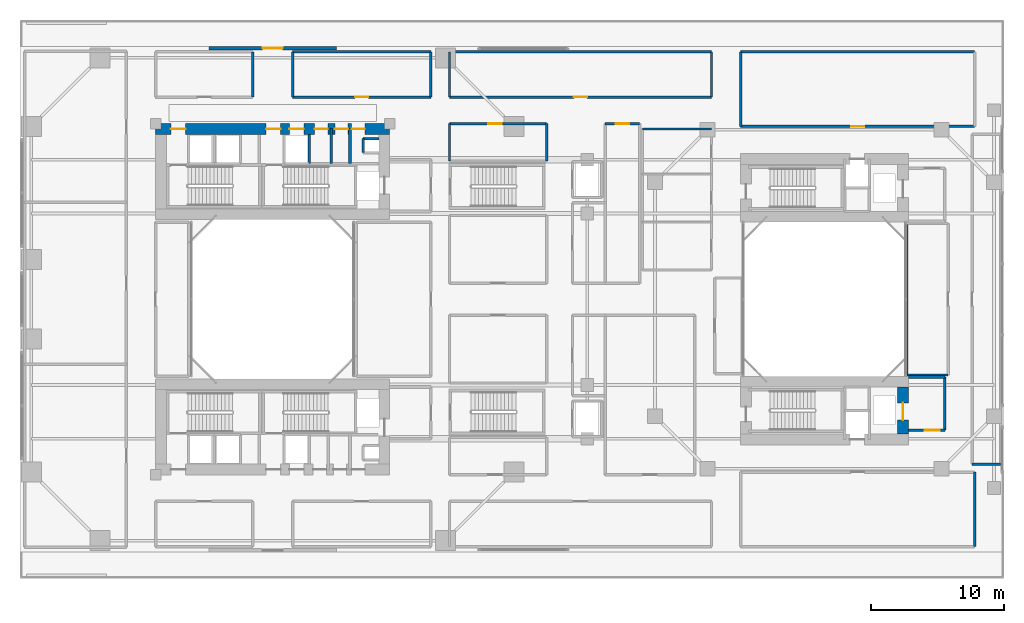
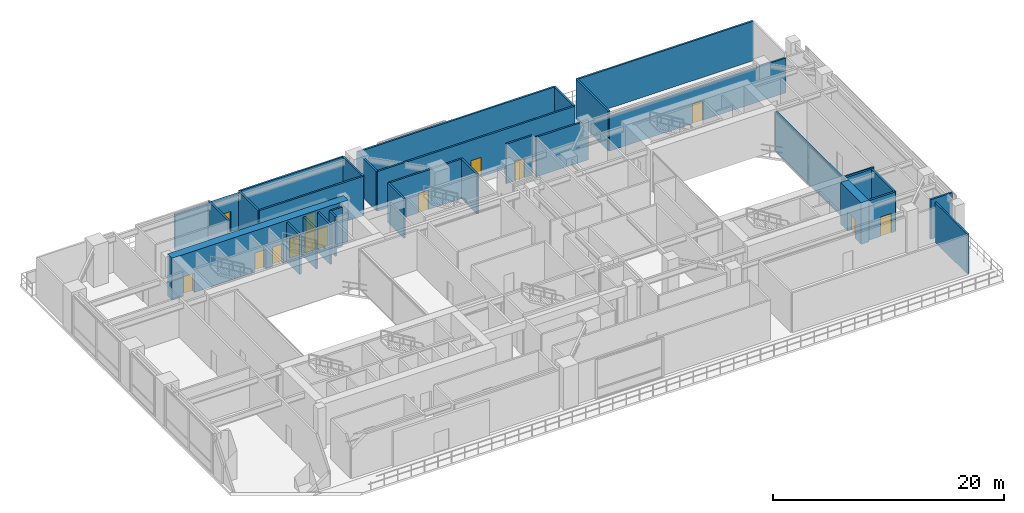
# One storey, part 14 of 19: 32 walls, 14 doors, 14 openings.
"""IFC4 building model written with IfcOpenShell, lengths in metres."""

from ifc_helpers import new_model, si_unit, direction, frame, frame_2d, origin, place, context, subcontext, project, spatial, rectangle, extrude, source, transform, mapped, material, layer, layer_set, type_object, element, fill, save


model = new_model("IFC4")

# Units and contexts
model_context = context("Model", 3, precision=1e-05, world=origin(), true_north=direction((0.0, 1.0)))
body_context = subcontext(model_context, "Body", "Model", "MODEL_VIEW")
ifc_project = project(units=[si_unit("LENGTHUNIT", "METRE"), si_unit("AREAUNIT", "SQUARE_METRE"), si_unit("VOLUMEUNIT", "CUBIC_METRE"), si_unit("PLANEANGLEUNIT", "RADIAN"), si_unit("MASSUNIT", "GRAM", prefix="KILO"), si_unit("THERMODYNAMICTEMPERATUREUNIT", "KELVIN"), si_unit("POWERUNIT", "WATT")], contexts=[model_context])

# Site, building, storey
site_placement = place(None, origin())
site = spatial("IfcSite", under=ifc_project, at=site_placement, CompositionType="ELEMENT")
building_placement = place(site_placement, origin())
building = spatial("IfcBuilding", under=site, at=building_placement, Name="Qiaomeng Ring Towers", CompositionType="ELEMENT")
storey_placement = place(building_placement, frame((0.0, 0.0, 9.39990234375)))
storey = spatial("IfcBuildingStorey", under=building, at=storey_placement, Name="L02", CompositionType="ELEMENT", Elevation=9.39990234375)

# Wall, opening, door
ifc_material_1 = material(Name="Precast concrete C40", Category="concrete")
ifc_layer_1 = layer(ifc_material_1, 0.25, Name="Precast concrete C40")
ifc_layer_set_1 = layer_set([ifc_layer_1], Name="Precast concrete C40")
wall_type_1 = type_object("IfcWallType", Name="ARC-WL-EW1", PredefinedType="STANDARD", material=ifc_layer_set_1)
wall_1_placement = place(storey_placement, frame((14.199951171875, 41.875, 0.0), z_axis=(0.0, 0.0, 1.0), x_axis=(1.0, 0.0, 0.0)))
wall_1 = element("IfcWall", 1, at=wall_1_placement, inside=storey, type_object=wall_type_1, Name="L02 North Podium Wall", PredefinedType="STANDARD", context=body_context, shape_type="SweptSolid", body=[
    extrude(rectangle(XDim=9.60009765625, YDim=0.25, at=frame_2d((4.800048828125, 0.0))), origin(), (0.0, 0.0, 1.0), 3.72021484375),
])
opening_1_placement = place(wall_1_placement, frame((4.050048828125, 0.0, 0.0)))
opening_1 = element("IfcOpeningElement", 2, at=opening_1_placement, cuts=wall_1, Name="Opening BD2", PredefinedType="OPENING", context=body_context, shape_type="SweptSolid", body=[
    extrude(rectangle(XDim=1.5, YDim=2.14990234375, at=frame_2d((0.75, 1.074951171875))), frame((0.0, 0.135009765625, 0.0), z_axis=(0.0, -1.0, 0.0), x_axis=(1.0, 0.0, 0.0)), (0.0, 0.0, 1.0), 0.27001953125),
])
ifc_material_2 = material(Name="Low-E pale-green laminated safety glass", Category="glass")
door_type_1 = type_object("IfcDoorType", Name="ARC-DR-BD2", OperationType="NOTDEFINED", PredefinedType="DOOR", material=ifc_material_2)
shared_shape_1 = source(origin(), body_context, "Body", "SweptSolid", [
    extrude(rectangle(XDim=1.5, YDim=2.14990234375, at=frame_2d((0.75, 1.074951171875))), frame((0.0, 0.02490234375, 0.0), z_axis=(0.0, -1.0, 0.0), x_axis=(1.0, 0.0, 0.0)), (0.0, 0.0, 1.0), 0.050048828125),
])
door_1_placement = place(opening_1_placement, origin())
door_1 = element("IfcDoor", 3, at=door_1_placement, inside=storey, type_object=door_type_1, Name="L02 North Podium Terrace Door", OperationType="DOUBLE_DOOR_SINGLE_SWING", OverallHeight=2.14990234375, OverallWidth=1.5, PredefinedType="DOOR", context=body_context, shape_type="MappedRepresentation", body=[
    mapped(shared_shape_1, transform((0.0, 0.0, 0.0), x_axis=(1.0, 0.0, 0.0), y_axis=(0.0, 1.0, 0.0), z_axis=(0.0, 0.0, 1.0), scale=1.0)),
])
fill(opening_1, door_1)

# Walls
ifc_material_3 = material(Name="Autoclaved aerated concrete block", Category="concrete")
ifc_layer_2 = layer(ifc_material_3, 0.199951171875, Name="Autoclaved aerated concrete block")
ifc_layer_set_2 = layer_set([ifc_layer_2], Name="Autoclaved aerated concrete block")
wall_type_2 = type_object("IfcWallType", Name="ARC-WL-PW1", PredefinedType="PARTITIONING", material=ifc_layer_set_2)
wall_2_placement = place(storey_placement, frame((24.820068359375, 33.199951171875, 0.0), z_axis=(0.0, 0.0, 1.0), x_axis=(0.0, 1.0, 0.0)))
element("IfcWall", 4, at=wall_2_placement, inside=storey, type_object=wall_type_2, Name="L02 Interior Wall PW1", PredefinedType="PARTITIONING", context=body_context, shape_type="SweptSolid", body=[
    extrude(rectangle(XDim=2.650146484375, YDim=0.199951171875, at=frame_2d((1.3251953125, 0.0))), origin(), (0.0, 0.0, 1.0), 4.18017578125),
])
wall_3_placement = place(storey_placement, frame((21.75, 33.199951171875, 0.0), z_axis=(0.0, 0.0, 1.0), x_axis=(0.0, 1.0, 0.0)))
element("IfcWall", 5, at=wall_3_placement, inside=storey, type_object=wall_type_2, Name="L02 Interior Wall PW1", PredefinedType="PARTITIONING", context=body_context, shape_type="SweptSolid", body=[
    extrude(rectangle(XDim=2.199951171875, YDim=0.199951171875, at=frame_2d((1.10009765625, 0.0))), origin(), (0.0, 0.0, 1.0), 4.18017578125),
])
wall_4_placement = place(storey_placement, frame((23.39990234375, 33.199951171875, 0.0), z_axis=(0.0, 0.0, 1.0), x_axis=(0.0, 1.0, 0.0)))
element("IfcWall", 6, at=wall_4_placement, inside=storey, type_object=wall_type_2, Name="L02 Interior Wall PW1", PredefinedType="PARTITIONING", context=body_context, shape_type="SweptSolid", body=[
    extrude(rectangle(XDim=2.650146484375, YDim=0.199951171875, at=frame_2d((1.3251953125, 0.0))), origin(), (0.0, 0.0, 1.0), 4.18017578125),
])
wall_5_placement = place(storey_placement, frame((66.800048828125, 17.14990234375, 0.0), z_axis=(0.0, 0.0, 1.0), x_axis=(1.0, 0.0, 0.0)))
element("IfcWall", 7, at=wall_5_placement, inside=storey, type_object=wall_type_2, Name="L02 Interior Wall PW1", PredefinedType="PARTITIONING", context=body_context, shape_type="SweptSolid", body=[
    extrude(rectangle(XDim=2.75, YDim=0.199951171875, at=frame_2d((1.375, 0.0))), origin(), (0.0, 0.0, 1.0), 4.18017578125),
])
wall_6_placement = place(storey_placement, frame((69.550048828125, 13.14990234375, 0.0), z_axis=(0.0, 0.0, 1.0), x_axis=(0.0, 1.0, 0.0)))
element("IfcWall", 8, at=wall_6_placement, inside=storey, type_object=wall_type_2, Name="L02 Interior Wall PW1", PredefinedType="PARTITIONING", context=body_context, shape_type="SweptSolid", body=[
    extrude(rectangle(XDim=4.0, YDim=0.199951171875, at=frame_2d((2.0, 0.0))), origin(), (0.0, 0.0, 1.0), 4.18017578125),
])

# Wall, opening, door
wall_7_placement = place(storey_placement, frame((66.800048828125, 13.14990234375, 0.0), z_axis=(0.0, 0.0, 1.0), x_axis=(1.0, 0.0, 0.0)))
wall_7 = element("IfcWall", 9, at=wall_7_placement, inside=storey, type_object=wall_type_2, Name="L02 Interior Wall PW1", PredefinedType="PARTITIONING", context=body_context, shape_type="SweptSolid", body=[
    extrude(rectangle(XDim=2.75, YDim=0.199951171875, at=frame_2d((1.375, 0.0))), origin(), (0.0, 0.0, 1.0), 4.18017578125),
])
opening_2_placement = place(wall_7_placement, frame((1.25, 0.0, 0.0)))
opening_2 = element("IfcOpeningElement", 10, at=opening_2_placement, cuts=wall_7, Name="Opening FD3", PredefinedType="OPENING", context=body_context, shape_type="SweptSolid", body=[
    extrude(rectangle(XDim=1.10009765625, YDim=2.050048828125, at=frame_2d((0.550048828125, 1.02490234375))), frame((0.0, 0.10986328125, 0.0), z_axis=(0.0, -1.0, 0.0), x_axis=(1.0, 0.0, 0.0)), (0.0, 0.0, 1.0), 0.219970703125),
])
ifc_material_4 = material(Name="Galvanised steel", Category="steel")
door_type_2 = type_object("IfcDoorType", Name="ARC-DR-FD3", OperationType="NOTDEFINED", PredefinedType="DOOR", material=ifc_material_4)
shared_shape_2 = source(origin(), body_context, "Body", "SweptSolid", [
    extrude(rectangle(XDim=1.10009765625, YDim=2.050048828125, at=frame_2d((0.550048828125, 1.02490234375))), frame((0.0, 0.02490234375, 0.0), z_axis=(0.0, -1.0, 0.0), x_axis=(1.0, 0.0, 0.0)), (0.0, 0.0, 1.0), 0.050048828125),
])
door_2_placement = place(opening_2_placement, origin())
door_2 = element("IfcDoor", 11, at=door_2_placement, inside=storey, type_object=door_type_2, Name="L02 Door FD3", OperationType="SINGLE_SWING_RIGHT", OverallHeight=2.050048828125, OverallWidth=1.10009765625, PredefinedType="DOOR", context=body_context, shape_type="MappedRepresentation", body=[
    mapped(shared_shape_2, transform((0.0, 0.0, 0.0), x_axis=(1.0, 0.0, 0.0), y_axis=(0.0, 1.0, 0.0), z_axis=(0.0, 0.0, 1.0), scale=1.0)),
])
fill(opening_2, door_2)

# Wall
ifc_layer_3 = layer(ifc_material_3, 0.179931640625, Name="Autoclaved aerated concrete block")
ifc_layer_set_3 = layer_set([ifc_layer_3], Name="Autoclaved aerated concrete block")
wall_type_3 = type_object("IfcWallType", Name="ARC-WL-PW2", PredefinedType="PARTITIONING", material=ifc_layer_set_3)
wall_8_placement = place(storey_placement, frame((46.800048828125, 35.800048828125, 0.0), z_axis=(0.0, 0.0, 1.0), x_axis=(1.0, 0.0, 0.0)))
element("IfcWall", 12, at=wall_8_placement, inside=storey, type_object=wall_type_3, Name="L02 Interior Wall PW2", PredefinedType="PARTITIONING", context=body_context, shape_type="SweptSolid", body=[
    extrude(rectangle(XDim=5.199951171875, YDim=0.179931640625, at=frame_2d((2.60009765625, 0.0))), origin(), (0.0, 0.0, 1.0), 4.18017578125),
])

# Wall, opening, door
wall_9_placement = place(storey_placement, frame((32.300048828125, 36.199951171875, 0.0), z_axis=(0.0, 0.0, 1.0), x_axis=(1.0, 0.0, 0.0)))
wall_9 = element("IfcWall", 13, at=wall_9_placement, inside=storey, type_object=wall_type_3, Name="L02 Interior Wall PW2", PredefinedType="PARTITIONING", context=body_context, shape_type="SweptSolid", body=[
    extrude(rectangle(XDim=7.300048828125, YDim=0.179931640625, at=frame_2d((3.64990234375, 0.0))), origin(), (0.0, 0.0, 1.0), 4.18017578125),
])
opening_3_placement = place(wall_9_placement, frame((2.9169921875, 0.0, 0.0)))
opening_3 = element("IfcOpeningElement", 14, at=opening_3_placement, cuts=wall_9, Name="Opening FD4", PredefinedType="OPENING", context=body_context, shape_type="SweptSolid", body=[
    extrude(rectangle(XDim=1.0, YDim=2.050048828125, at=frame_2d((0.5, 1.02490234375))), frame((0.0, 0.099853515625, 0.0), z_axis=(0.0, -1.0, 0.0), x_axis=(1.0, 0.0, 0.0)), (0.0, 0.0, 1.0), 0.199951171875),
])
ifc_material_5 = material(Name="Engineered fire-rated oak timber", Category="wood")
door_type_3 = type_object("IfcDoorType", Name="ARC-DR-FD4", OperationType="NOTDEFINED", PredefinedType="DOOR", material=ifc_material_5)
shared_shape_3 = source(origin(), body_context, "Body", "SweptSolid", [
    extrude(rectangle(XDim=1.0, YDim=2.050048828125, at=frame_2d((0.5, 1.02490234375))), frame((0.0, 0.02490234375, 0.0), z_axis=(0.0, -1.0, 0.0), x_axis=(1.0, 0.0, 0.0)), (0.0, 0.0, 1.0), 0.050048828125),
])
door_3_placement = place(opening_3_placement, origin())
door_3 = element("IfcDoor", 15, at=door_3_placement, inside=storey, type_object=door_type_3, Name="L02 L02 Cardiology Examination Room Door", OperationType="SINGLE_SWING_LEFT", OverallHeight=2.050048828125, OverallWidth=1.0, PredefinedType="DOOR", context=body_context, shape_type="MappedRepresentation", body=[
    mapped(shared_shape_3, transform((0.0, 0.0, 0.0), x_axis=(1.0, 0.0, 0.0), y_axis=(0.0, 1.0, 0.0), z_axis=(0.0, 0.0, 1.0), scale=1.0)),
])
fill(opening_3, door_3)

# Walls
for number, where, z_axis, x_axis, name in (
    (16, (32.300048828125, 33.39990234375, 0.0), (0.0, 0.0, 1.0), (0.0, 1.0, 0.0), "L02 Interior Wall PW2"),
    (17, (39.60009765625, 33.39990234375, 0.0), (0.0, 0.0, 1.0), (0.0, 1.0, 0.0), "L02 Interior Wall PW2"),
):
    element("IfcWall", number, at=place(storey_placement, frame(where, z_axis=z_axis, x_axis=x_axis)), inside=storey, type_object=wall_type_3, Name=name, PredefinedType="PARTITIONING", context=body_context, shape_type="SweptSolid", body=[
        extrude(rectangle(XDim=2.800048828125, YDim=0.179931640625, at=frame_2d((1.39990234375, 0.0))), origin(), (0.0, 0.0, 1.0), 4.18017578125),
    ])

# Wall, opening, door
wall_10_placement = place(storey_placement, frame((44.0, 36.199951171875, 0.0), z_axis=(0.0, 0.0, 1.0), x_axis=(1.0, 0.0, 0.0)))
wall_10 = element("IfcWall", 18, at=wall_10_placement, inside=storey, type_object=wall_type_3, Name="L02 Interior Wall PW2", PredefinedType="PARTITIONING", context=body_context, shape_type="SweptSolid", body=[
    extrude(rectangle(XDim=2.60009765625, YDim=0.179931640625, at=frame_2d((1.300048828125, 0.0))), origin(), (0.0, 0.0, 1.0), 4.18017578125),
])
opening_4_placement = place(wall_10_placement, frame((0.800048828125, 0.0, 0.0)))
opening_4 = element("IfcOpeningElement", 19, at=opening_4_placement, cuts=wall_10, Name="Opening FD4", PredefinedType="OPENING", context=body_context, shape_type="SweptSolid", body=[
    extrude(rectangle(XDim=1.0, YDim=2.050048828125, at=frame_2d((0.5, 1.02490234375))), frame((0.0, 0.099853515625, 0.0), z_axis=(0.0, -1.0, 0.0), x_axis=(1.0, 0.0, 0.0)), (0.0, 0.0, 1.0), 0.199951171875),
])
door_4_placement = place(opening_4_placement, origin())
door_4 = element("IfcDoor", 20, at=door_4_placement, inside=storey, type_object=door_type_3, Name="L02 L02 Dental Care Clinic Door", OperationType="SINGLE_SWING_LEFT", OverallHeight=2.050048828125, OverallWidth=1.0, PredefinedType="DOOR", context=body_context, shape_type="MappedRepresentation", body=[
    mapped(shared_shape_3, transform((0.0, 0.0, 0.0), x_axis=(1.0, 0.0, 0.0), y_axis=(0.0, 1.0, 0.0), z_axis=(0.0, 0.0, 1.0), scale=1.0)),
])
fill(opening_4, door_4)

# Walls
wall_11_placement = place(storey_placement, frame((66.699951171875, 17.300048828125, 0.0), z_axis=(0.0, 0.0, 1.0), x_axis=(1.0, 0.0, 0.0)))
element("IfcWall", 21, at=wall_11_placement, inside=storey, type_object=wall_type_3, Name="L02 Interior Wall PW2", PredefinedType="PARTITIONING", context=body_context, shape_type="SweptSolid", body=[
    extrude(rectangle(XDim=3.10009765625, YDim=0.179931640625, at=frame_2d((1.550048828125, 0.0))), origin(), (0.0, 0.0, 1.0), 4.18017578125),
])
wall_12_placement = place(storey_placement, frame((66.699951171875, 17.300048828125, 0.0), z_axis=(0.0, 0.0, 1.0), x_axis=(0.0, 1.0, 0.0)))
element("IfcWall", 22, at=wall_12_placement, inside=storey, type_object=wall_type_3, Name="L02 Interior Wall PW2", PredefinedType="PARTITIONING", context=body_context, shape_type="SweptSolid", body=[
    extrude(rectangle(XDim=11.39990234375, YDim=0.179931640625, at=frame_2d((5.699951171875, 0.0))), origin(), (0.0, 0.0, 1.0), 4.18017578125),
])
wall_13_placement = place(storey_placement, frame((71.60009765625, 10.60009765625, 0.0), z_axis=(0.0, 0.0, 1.0), x_axis=(1.0, 0.0, 0.0)))
element("IfcWall", 23, at=wall_13_placement, inside=storey, type_object=wall_type_3, Name="L02 Interior Wall PW2", PredefinedType="PARTITIONING", context=body_context, shape_type="SweptSolid", body=[
    extrude(rectangle(XDim=2.14990234375, YDim=0.179931640625, at=frame_2d((1.074951171875, 0.0))), origin(), (0.0, 0.0, 1.0), 4.18017578125),
])
wall_14_placement = place(storey_placement, frame((17.5, 38.199951171875, 0.0), z_axis=(0.0, 0.0, 1.0), x_axis=(0.0, 1.0, 0.0)))
element("IfcWall", 24, at=wall_14_placement, inside=storey, type_object=wall_type_3, Name="L02 Interior Wall PW2", PredefinedType="PARTITIONING", context=body_context, shape_type="SweptSolid", body=[
    extrude(rectangle(XDim=3.400146484375, YDim=0.179931640625, at=frame_2d((1.7001953125, 0.0))), origin(), (0.0, 0.0, 1.0), 4.18017578125),
])

# Wall, opening, door
wall_15_placement = place(storey_placement, frame((20.5, 38.199951171875, 0.0), z_axis=(0.0, 0.0, 1.0), x_axis=(1.0, 0.0, 0.0)))
wall_15 = element("IfcWall", 25, at=wall_15_placement, inside=storey, type_object=wall_type_3, Name="L02 Interior Wall PW2", PredefinedType="PARTITIONING", context=body_context, shape_type="SweptSolid", body=[
    extrude(rectangle(XDim=10.39990234375, YDim=0.179931640625, at=frame_2d((5.199951171875, 0.0))), origin(), (0.0, 0.0, 1.0), 4.18017578125),
])
opening_5_placement = place(wall_15_placement, frame((4.699951171875, 0.0, 0.0)))
opening_5 = element("IfcOpeningElement", 26, at=opening_5_placement, cuts=wall_15, Name="Opening FD4", PredefinedType="OPENING", context=body_context, shape_type="SweptSolid", body=[
    extrude(rectangle(XDim=1.0, YDim=2.050048828125, at=frame_2d((0.5, 1.02490234375))), frame((0.0, 0.099853515625, 0.0), z_axis=(0.0, -1.0, 0.0), x_axis=(1.0, 0.0, 0.0)), (0.0, 0.0, 1.0), 0.199951171875),
])
door_5_placement = place(opening_5_placement, origin())
door_5 = element("IfcDoor", 27, at=door_5_placement, inside=storey, type_object=door_type_3, Name="L02 L02 Medical Staff Conference Room Door", OperationType="SINGLE_SWING_LEFT", OverallHeight=2.050048828125, OverallWidth=1.0, PredefinedType="DOOR", context=body_context, shape_type="MappedRepresentation", body=[
    mapped(shared_shape_3, transform((0.0, 0.0, 0.0), x_axis=(1.0, 0.0, 0.0), y_axis=(0.0, 1.0, 0.0), z_axis=(0.0, 0.0, 1.0), scale=1.0)),
])
fill(opening_5, door_5)

# Walls
wall_16_placement = place(storey_placement, frame((20.5, 41.60009765625, 0.0), z_axis=(0.0, 0.0, 1.0), x_axis=(1.0, 0.0, 0.0)))
element("IfcWall", 28, at=wall_16_placement, inside=storey, type_object=wall_type_3, Name="L02 Interior Wall PW2", PredefinedType="PARTITIONING", context=body_context, shape_type="SweptSolid", body=[
    extrude(rectangle(XDim=10.39990234375, YDim=0.179931640625, at=frame_2d((5.199951171875, 0.0))), origin(), (0.0, 0.0, 1.0), 4.18017578125),
])
for number, where, z_axis, x_axis, name in (
    (29, (20.5, 38.199951171875, 0.0), (0.0, 0.0, 1.0), (0.0, 1.0, 0.0), "L02 Interior Wall PW2"),
    (30, (30.89990234375, 38.199951171875, 0.0), (0.0, 0.0, 1.0), (0.0, 1.0, 0.0), "L02 Interior Wall PW2"),
):
    element("IfcWall", number, at=place(storey_placement, frame(where, z_axis=z_axis, x_axis=x_axis)), inside=storey, type_object=wall_type_3, Name=name, PredefinedType="PARTITIONING", context=body_context, shape_type="SweptSolid", body=[
        extrude(rectangle(XDim=3.400146484375, YDim=0.179931640625, at=frame_2d((1.7001953125, 0.0))), origin(), (0.0, 0.0, 1.0), 4.18017578125),
    ])

# Wall, opening, door
wall_17_placement = place(storey_placement, frame((32.300048828125, 38.199951171875, 0.0), z_axis=(0.0, 0.0, 1.0), x_axis=(1.0, 0.0, 0.0)))
wall_17 = element("IfcWall", 31, at=wall_17_placement, inside=storey, type_object=wall_type_3, Name="L02 Interior Wall PW2", PredefinedType="PARTITIONING", context=body_context, shape_type="SweptSolid", body=[
    extrude(rectangle(XDim=19.699951171875, YDim=0.179931640625, at=frame_2d((9.85009765625, 0.0))), origin(), (0.0, 0.0, 1.0), 4.18017578125),
])
opening_6_placement = place(wall_17_placement, frame((9.35009765625, 0.0, 0.0)))
opening_6 = element("IfcOpeningElement", 32, at=opening_6_placement, cuts=wall_17, Name="Opening FD4", PredefinedType="OPENING", context=body_context, shape_type="SweptSolid", body=[
    extrude(rectangle(XDim=1.0, YDim=2.050048828125, at=frame_2d((0.5, 1.02490234375))), frame((0.0, 0.099853515625, 0.0), z_axis=(0.0, -1.0, 0.0), x_axis=(1.0, 0.0, 0.0)), (0.0, 0.0, 1.0), 0.199951171875),
])
door_6_placement = place(opening_6_placement, origin())
door_6 = element("IfcDoor", 33, at=door_6_placement, inside=storey, type_object=door_type_3, Name="L02 L02 Preventive Screening Suite Door", OperationType="SINGLE_SWING_RIGHT", OverallHeight=2.050048828125, OverallWidth=1.0, PredefinedType="DOOR", context=body_context, shape_type="MappedRepresentation", body=[
    mapped(shared_shape_3, transform((0.0, 0.0, 0.0), x_axis=(1.0, 0.0, 0.0), y_axis=(0.0, 1.0, 0.0), z_axis=(0.0, 0.0, 1.0), scale=1.0)),
])
fill(opening_6, door_6)

# Walls
wall_18_placement = place(storey_placement, frame((32.300048828125, 41.60009765625, 0.0), z_axis=(0.0, 0.0, 1.0), x_axis=(1.0, 0.0, 0.0)))
element("IfcWall", 34, at=wall_18_placement, inside=storey, type_object=wall_type_3, Name="L02 Interior Wall PW2", PredefinedType="PARTITIONING", context=body_context, shape_type="SweptSolid", body=[
    extrude(rectangle(XDim=19.699951171875, YDim=0.179931640625, at=frame_2d((9.85009765625, 0.0))), origin(), (0.0, 0.0, 1.0), 4.18017578125),
])
for number, where, z_axis, x_axis, name in (
    (35, (32.300048828125, 38.199951171875, 0.0), (0.0, 0.0, 1.0), (0.0, 1.0, 0.0), "L02 Interior Wall PW2"),
    (36, (52.0, 38.199951171875, 0.0), (0.0, 0.0, 1.0), (0.0, 1.0, 0.0), "L02 Interior Wall PW2"),
):
    element("IfcWall", number, at=place(storey_placement, frame(where, z_axis=z_axis, x_axis=x_axis)), inside=storey, type_object=wall_type_3, Name=name, PredefinedType="PARTITIONING", context=body_context, shape_type="SweptSolid", body=[
        extrude(rectangle(XDim=3.400146484375, YDim=0.179931640625, at=frame_2d((1.7001953125, 0.0))), origin(), (0.0, 0.0, 1.0), 4.18017578125),
    ])
wall_19_placement = place(storey_placement, frame((71.800048828125, 4.39990234375, 0.0), z_axis=(0.0, 0.0, 1.0), x_axis=(0.0, 1.0, 0.0)))
element("IfcWall", 37, at=wall_19_placement, inside=storey, type_object=wall_type_3, Name="L02 Interior Wall PW2", PredefinedType="PARTITIONING", context=body_context, shape_type="SweptSolid", body=[
    extrude(rectangle(XDim=5.60009765625, YDim=0.179931640625, at=frame_2d((2.800048828125, 0.0))), origin(), (0.0, 0.0, 1.0), 4.18017578125),
])

# Wall, opening, door
wall_20_placement = place(storey_placement, frame((54.199951171875, 36.0, 0.0), z_axis=(0.0, 0.0, 1.0), x_axis=(1.0, 0.0, 0.0)))
wall_20 = element("IfcWall", 38, at=wall_20_placement, inside=storey, type_object=wall_type_3, Name="L02 Interior Wall PW2", PredefinedType="PARTITIONING", context=body_context, shape_type="SweptSolid", body=[
    extrude(rectangle(XDim=17.60009765625, YDim=0.179931640625, at=frame_2d((8.800048828125, 0.0))), origin(), (0.0, 0.0, 1.0), 3.675048828125),
])
opening_7_placement = place(wall_20_placement, frame((8.300048828125, 0.0, 0.0)))
opening_7 = element("IfcOpeningElement", 39, at=opening_7_placement, cuts=wall_20, Name="Opening FD4", PredefinedType="OPENING", context=body_context, shape_type="SweptSolid", body=[
    extrude(rectangle(XDim=1.0, YDim=2.050048828125, at=frame_2d((0.5, 1.02490234375))), frame((0.0, 0.099853515625, 0.0), z_axis=(0.0, -1.0, 0.0), x_axis=(1.0, 0.0, 0.0)), (0.0, 0.0, 1.0), 0.199951171875),
])
door_7_placement = place(opening_7_placement, origin())
door_7 = element("IfcDoor", 40, at=door_7_placement, inside=storey, type_object=door_type_3, Name="L02 L02 Staff Dining Room Door", OperationType="SINGLE_SWING_RIGHT", OverallHeight=2.050048828125, OverallWidth=1.0, PredefinedType="DOOR", context=body_context, shape_type="MappedRepresentation", body=[
    mapped(shared_shape_3, transform((0.0, 0.0, 0.0), x_axis=(1.0, 0.0, 0.0), y_axis=(0.0, 1.0, 0.0), z_axis=(0.0, 0.0, 1.0), scale=1.0)),
])
fill(opening_7, door_7)

# Walls
wall_21_placement = place(storey_placement, frame((54.199951171875, 41.60009765625, 0.0), z_axis=(0.0, 0.0, 1.0), x_axis=(1.0, 0.0, 0.0)))
element("IfcWall", 41, at=wall_21_placement, inside=storey, type_object=wall_type_3, Name="L02 Interior Wall PW2", PredefinedType="PARTITIONING", context=body_context, shape_type="SweptSolid", body=[
    extrude(rectangle(XDim=17.60009765625, YDim=0.179931640625, at=frame_2d((8.800048828125, 0.0))), origin(), (0.0, 0.0, 1.0), 4.18017578125),
])
wall_22_placement = place(storey_placement, frame((54.199951171875, 36.0, 0.0), z_axis=(0.0, 0.0, 1.0), x_axis=(0.0, 1.0, 0.0)))
element("IfcWall", 42, at=wall_22_placement, inside=storey, type_object=wall_type_3, Name="L02 Interior Wall PW2", PredefinedType="PARTITIONING", context=body_context, shape_type="SweptSolid", body=[
    extrude(rectangle(XDim=5.60009765625, YDim=0.179931640625, at=frame_2d((2.800048828125, 0.0))), origin(), (0.0, 0.0, 1.0), 4.18017578125),
])
ifc_material_6 = material(Name="Concrete C40", Category="concrete")
ifc_layer_4 = layer(ifc_material_6, 0.199951171875, Name="Concrete C40")
ifc_layer_set_4 = layer_set([ifc_layer_4], Name="Concrete C40")
wall_type_4 = type_object("IfcWallType", Name="STR-WL-STSHAFT", PredefinedType="SHEAR", material=ifc_layer_set_4)
wall_23_placement = place(storey_placement, frame((25.800048828125, 34.02001953125, 0.0), z_axis=(0.0, 0.0, 1.0), x_axis=(0.0, 1.0, 0.0)))
element("IfcWall", 43, at=wall_23_placement, inside=storey, type_object=wall_type_4, Name="L02 Riser RSR1 West Shaft Wall N", PredefinedType="SHEAR", context=body_context, shape_type="SweptSolid", body=[
    extrude(rectangle(XDim=1.06005859375, YDim=0.179931640625, at=frame_2d((0.530029296875, 0.0))), origin(), (0.0, 0.0, 1.0), 4.18017578125),
])
wall_24_placement = place(storey_placement, frame((25.800048828125, 35.080078125, 0.0), z_axis=(0.0, 0.0, 1.0), x_axis=(1.0, 0.0, 0.0)))
element("IfcWall", 44, at=wall_24_placement, inside=storey, type_object=wall_type_4, Name="L02 Riser RSR1 North Shaft Wall N", PredefinedType="SHEAR", context=body_context, shape_type="SweptSolid", body=[
    extrude(rectangle(XDim=1.199951171875, YDim=0.179931640625, at=frame_2d((0.60009765625, 0.0))), origin(), (0.0, 0.0, 1.0), 4.18017578125),
])

# Wall, openings, doors
ifc_material_7 = material(Name="Concrete C60", Category="concrete")
ifc_layer_5 = layer(ifc_material_7, 0.800048828125, Name="Concrete C60")
ifc_layer_set_5 = layer_set([ifc_layer_5], Name="Concrete C60")
wall_type_5 = type_object("IfcWallType", Name="STR-WL-SW1", PredefinedType="SHEAR", material=ifc_layer_set_5)
wall_25_placement = place(storey_placement, frame((10.199951171875, 35.800048828125, 0.0), z_axis=(0.0, 0.0, 1.0), x_axis=(1.0, 0.0, 0.0)))
wall_25 = element("IfcWall", 45, at=wall_25_placement, inside=storey, type_object=wall_type_5, Name="L02 T1NC north core shear wall", PredefinedType="SHEAR", context=body_context, shape_type="SweptSolid", body=[
    extrude(rectangle(XDim=17.60009765625, YDim=0.800048828125, at=frame_2d((8.800048828125, 0.0))), origin(), (0.0, 0.0, 1.0), 4.400146484375),
])
opening_8_placement = place(wall_25_placement, frame((1.14990234375, 0.0, 0.0)))
opening_8 = element("IfcOpeningElement", 46, at=opening_8_placement, cuts=wall_25, Name="Opening FD3", PredefinedType="OPENING", context=body_context, shape_type="SweptSolid", body=[
    extrude(rectangle(XDim=1.10009765625, YDim=2.050048828125, at=frame_2d((0.550048828125, 1.02490234375))), frame((0.0, 0.409912109375, 0.0), z_axis=(0.0, -1.0, 0.0), x_axis=(1.0, 0.0, 0.0)), (0.0, 0.0, 1.0), 0.820068359375),
])
opening_9_placement = place(wall_25_placement, frame((8.300048828125, 0.0, 0.0)))
opening_9 = element("IfcOpeningElement", 47, at=opening_9_placement, cuts=wall_25, Name="Opening FD3", PredefinedType="OPENING", context=body_context, shape_type="SweptSolid", body=[
    extrude(rectangle(XDim=1.10009765625, YDim=2.050048828125, at=frame_2d((0.550048828125, 1.02490234375))), frame((0.0, 0.409912109375, 0.0), z_axis=(0.0, -1.0, 0.0), x_axis=(1.0, 0.0, 0.0)), (0.0, 0.0, 1.0), 0.820068359375),
])
opening_10_placement = place(wall_25_placement, frame((10.050048828125, 0.0, 0.0)))
opening_10 = element("IfcOpeningElement", 48, at=opening_10_placement, cuts=wall_25, Name="Opening LD1", PredefinedType="OPENING", context=body_context, shape_type="SweptSolid", body=[
    extrude(rectangle(XDim=1.10009765625, YDim=2.050048828125, at=frame_2d((0.550048828125, 1.02490234375))), frame((0.0, 0.409912109375, 0.0), z_axis=(0.0, -1.0, 0.0), x_axis=(1.0, 0.0, 0.0)), (0.0, 0.0, 1.0), 0.820068359375),
])
opening_11_placement = place(wall_25_placement, frame((14.739990234375, 0.0, 0.0)))
opening_11 = element("IfcOpeningElement", 49, at=opening_11_placement, cuts=wall_25, Name="Opening FD1", PredefinedType="OPENING", context=body_context, shape_type="SweptSolid", body=[
    extrude(rectangle(XDim=1.0, YDim=2.050048828125, at=frame_2d((0.5, 1.02490234375))), frame((0.0, 0.409912109375, 0.0), z_axis=(0.0, -1.0, 0.0), x_axis=(1.0, 0.0, 0.0)), (0.0, 0.0, 1.0), 0.820068359375),
])
opening_12_placement = place(wall_25_placement, frame((11.949951171875, 0.0, 0.0)))
opening_12 = element("IfcOpeningElement", 50, at=opening_12_placement, cuts=wall_25, Name="Opening FD1", PredefinedType="OPENING", context=body_context, shape_type="SweptSolid", body=[
    extrude(rectangle(XDim=1.0, YDim=2.050048828125, at=frame_2d((0.5, 1.02490234375))), frame((0.0, 0.409912109375, 0.0), z_axis=(0.0, -1.0, 0.0), x_axis=(1.0, 0.0, 0.0)), (0.0, 0.0, 1.0), 0.820068359375),
])
opening_13_placement = place(wall_25_placement, frame((13.485107421875, 0.0, 0.0)))
opening_13 = element("IfcOpeningElement", 51, at=opening_13_placement, cuts=wall_25, Name="Opening FD1", PredefinedType="OPENING", context=body_context, shape_type="SweptSolid", body=[
    extrude(rectangle(XDim=1.0, YDim=2.050048828125, at=frame_2d((0.5, 1.02490234375))), frame((0.0, 0.409912109375, 0.0), z_axis=(0.0, -1.0, 0.0), x_axis=(1.0, 0.0, 0.0)), (0.0, 0.0, 1.0), 0.820068359375),
])
door_8_placement = place(opening_8_placement, origin())
door_8 = element("IfcDoor", 52, at=door_8_placement, inside=storey, type_object=door_type_2, Name="L02 Stair ST1 Lobby Door", OperationType="SINGLE_SWING_RIGHT", OverallHeight=2.050048828125, OverallWidth=1.10009765625, PredefinedType="DOOR", context=body_context, shape_type="MappedRepresentation", body=[
    mapped(shared_shape_2, transform((0.0, 0.0, 0.0), x_axis=(1.0, 0.0, 0.0), y_axis=(0.0, 1.0, 0.0), z_axis=(0.0, 0.0, 1.0), scale=1.0)),
])
fill(opening_8, door_8)
door_9_placement = place(opening_9_placement, origin())
door_9 = element("IfcDoor", 53, at=door_9_placement, inside=storey, type_object=door_type_2, Name="L02 Stair ST2 Lobby Door", OperationType="SINGLE_SWING_RIGHT", OverallHeight=2.050048828125, OverallWidth=1.10009765625, PredefinedType="DOOR", context=body_context, shape_type="MappedRepresentation", body=[
    mapped(shared_shape_2, transform((0.0, 0.0, 0.0), x_axis=(1.0, 0.0, 0.0), y_axis=(0.0, 1.0, 0.0), z_axis=(0.0, 0.0, 1.0), scale=1.0)),
])
fill(opening_9, door_9)
ifc_material_8 = material(Name="Stainless steel 316", Category="steel")
door_type_4 = type_object("IfcDoorType", Name="ARC-DR-LD1", OperationType="NOTDEFINED", PredefinedType="DOOR", material=ifc_material_8)
door_10_placement = place(opening_10_placement, origin())
door_10 = element("IfcDoor", 54, at=door_10_placement, inside=storey, type_object=door_type_4, Name="L02 Low-Zone Lift LP1 Landing Door", OperationType="SLIDING_TO_LEFT", OverallHeight=2.050048828125, OverallWidth=1.10009765625, PredefinedType="DOOR", context=body_context, shape_type="MappedRepresentation", body=[
    mapped(shared_shape_2, transform((0.0, 0.0, 0.0), x_axis=(1.0, 0.0, 0.0), y_axis=(0.0, 1.0, 0.0), z_axis=(0.0, 0.0, 1.0), scale=1.0)),
])
fill(opening_10, door_10)
door_type_5 = type_object("IfcDoorType", Name="ARC-DR-FD1", OperationType="NOTDEFINED", PredefinedType="DOOR", material=ifc_material_4)
door_11_placement = place(opening_11_placement, origin())
door_11 = element("IfcDoor", 55, at=door_11_placement, inside=storey, type_object=door_type_5, Name="L02 North Electrical Riser Door", OperationType="SINGLE_SWING_RIGHT", OverallHeight=2.050048828125, OverallWidth=1.0, PredefinedType="DOOR", context=body_context, shape_type="MappedRepresentation", body=[
    mapped(shared_shape_3, transform((0.0, 0.0, 0.0), x_axis=(1.0, 0.0, 0.0), y_axis=(0.0, 1.0, 0.0), z_axis=(0.0, 0.0, 1.0), scale=1.0)),
])
fill(opening_11, door_11)
door_12_placement = place(opening_12_placement, origin())
door_12 = element("IfcDoor", 56, at=door_12_placement, inside=storey, type_object=door_type_5, Name="L02 North Tea Pantry Door", OperationType="SINGLE_SWING_RIGHT", OverallHeight=2.050048828125, OverallWidth=1.0, PredefinedType="DOOR", context=body_context, shape_type="MappedRepresentation", body=[
    mapped(shared_shape_3, transform((0.0, 0.0, 0.0), x_axis=(1.0, 0.0, 0.0), y_axis=(0.0, 1.0, 0.0), z_axis=(0.0, 0.0, 1.0), scale=1.0)),
])
fill(opening_12, door_12)
door_13_placement = place(opening_13_placement, origin())
door_13 = element("IfcDoor", 57, at=door_13_placement, inside=storey, type_object=door_type_5, Name="L02 North Cleaners Cupboard Door", OperationType="SINGLE_SWING_LEFT", OverallHeight=2.050048828125, OverallWidth=1.0, PredefinedType="DOOR", context=body_context, shape_type="MappedRepresentation", body=[
    mapped(shared_shape_3, transform((0.0, 0.0, 0.0), x_axis=(1.0, 0.0, 0.0), y_axis=(0.0, 1.0, 0.0), z_axis=(0.0, 0.0, 1.0), scale=1.0)),
])
fill(opening_13, door_13)

# Wall, opening, door
wall_26_placement = place(storey_placement, frame((66.39990234375, 12.85009765625, 0.0), z_axis=(0.0, 0.0, 1.0), x_axis=(0.0, 1.0, 0.0)))
wall_26 = element("IfcWall", 58, at=wall_26_placement, inside=storey, type_object=wall_type_5, Name="L02 T2SC east core shear wall", PredefinedType="SHEAR", context=body_context, shape_type="SweptSolid", body=[
    extrude(rectangle(XDim=3.5498046875, YDim=0.800048828125, at=frame_2d((1.77490234375, 0.0))), origin(), (0.0, 0.0, 1.0), 4.400146484375),
])
opening_14_placement = place(wall_26_placement, frame((1.050048828125, 0.0, 0.0)))
opening_14 = element("IfcOpeningElement", 59, at=opening_14_placement, cuts=wall_26, Name="Opening LD2", PredefinedType="OPENING", context=body_context, shape_type="SweptSolid", body=[
    extrude(rectangle(XDim=1.300048828125, YDim=2.050048828125, at=frame_2d((0.64990234375, 1.02490234375))), frame((0.0, 0.409912109375, 0.0), z_axis=(0.0, -1.0, 0.0), x_axis=(1.0, 0.0, 0.0)), (0.0, 0.0, 1.0), 0.820068359375),
])
door_type_6 = type_object("IfcDoorType", Name="ARC-DR-LD2", OperationType="NOTDEFINED", PredefinedType="DOOR", material=ifc_material_8)
shared_shape_4 = source(origin(), body_context, "Body", "SweptSolid", [
    extrude(rectangle(XDim=1.300048828125, YDim=2.050048828125, at=frame_2d((0.64990234375, 1.02490234375))), frame((0.0, 0.02490234375, 0.0), z_axis=(0.0, -1.0, 0.0), x_axis=(1.0, 0.0, 0.0)), (0.0, 0.0, 1.0), 0.050048828125),
])
door_14_placement = place(opening_14_placement, origin())
door_14 = element("IfcDoor", 60, at=door_14_placement, inside=storey, type_object=door_type_6, Name="L02 Firefighting Lift FL4 Landing Door", OperationType="SLIDING_TO_RIGHT", OverallHeight=2.050048828125, OverallWidth=1.300048828125, PredefinedType="DOOR", context=body_context, shape_type="MappedRepresentation", body=[
    mapped(shared_shape_4, transform((0.0, 0.0, 0.0), x_axis=(1.0, 0.0, 0.0), y_axis=(0.0, 1.0, 0.0), z_axis=(0.0, 0.0, 1.0), scale=1.0)),
])
fill(opening_14, door_14)

save(model, "model.ifc")
